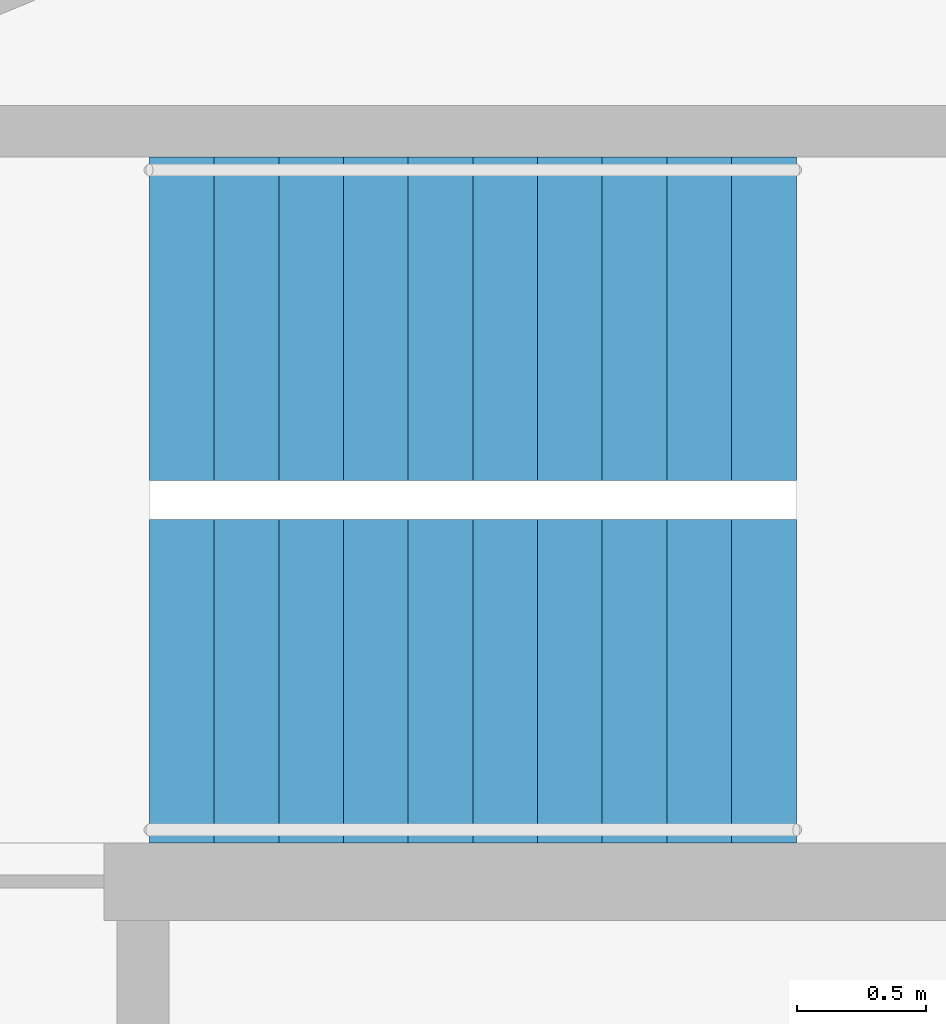
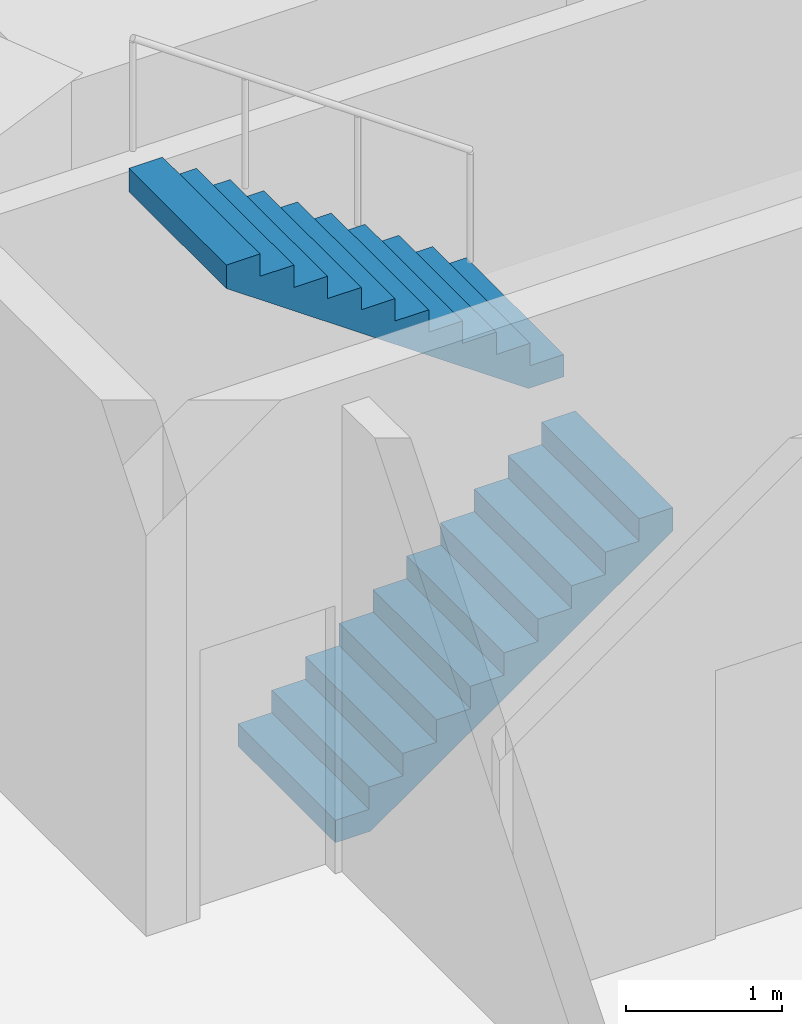
# One storey, part 11 of 13: 2 stair flights, 1 element without a shape of its own.
"""IFC4 building model written with IfcOpenShell, lengths in metres."""

from ifc_helpers import new_model, si_unit, direction, frame, origin, place, context, subcontext, project, spatial, polyline, outline, extrude, material, type_object, element, aggregate, save


model = new_model("IFC4")

# Units and contexts
model_context = context("Model", 3, precision=1e-05, world=origin(), true_north=direction((0.0, 1.0)))
body_context = subcontext(model_context, "Body", "Model", "MODEL_VIEW")
ifc_project = project(units=[si_unit("LENGTHUNIT", "METRE"), si_unit("AREAUNIT", "SQUARE_METRE"), si_unit("VOLUMEUNIT", "CUBIC_METRE"), si_unit("PLANEANGLEUNIT", "RADIAN"), si_unit("MASSUNIT", "GRAM", prefix="KILO")], contexts=[model_context])

# Site, building, storey
site_placement = place(None, origin())
site = spatial("IfcSite", under=ifc_project, at=site_placement, CompositionType="ELEMENT")
building_placement = place(site_placement, origin())
building = spatial("IfcBuilding", under=site, at=building_placement, Name="Nakasero Lantern House", CompositionType="ELEMENT")
storey_placement = place(building_placement, frame((0.0, 0.0, 164.89990234375)))
storey = spatial("IfcBuildingStorey", under=building, at=storey_placement, Name="L40", CompositionType="ELEMENT", Elevation=164.89990234375)

# Stair, stair flights
ifc_material_1 = material(Name="Concrete C40/50", Category="concrete")
stair_type = type_object("IfcStairType", Name="Escape stair ST1 22 risers", PredefinedType="HALF_TURN_STAIR", material=ifc_material_1)
stair_placement = place(storey_placement, origin())
stair = element("IfcStair", 1, at=stair_placement, inside=storey, type_object=stair_type, Name="Escape stair ST1 L40", PredefinedType="HALF_TURN_STAIR")
ifc_material_2 = material(Name="Concrete C40/50", Category="concrete")
stair_flight_type = type_object("IfcStairFlightType", Name="Escape stair flight", PredefinedType="STRAIGHT", material=ifc_material_2)
stair_flight_1_placement = place(storey_placement, frame((-1.875, 6.375, 0.0), z_axis=(0.0, 0.0, 1.0), x_axis=(1.0, 0.0, 0.0)))
stair_flight_1 = element("IfcStairFlight", 2, at=stair_flight_1_placement, type_object=stair_flight_type, Name="ST1 flight 1", NumberOfRisers=11, NumberOfTreads=10, PredefinedType="STRAIGHT", RiserHeight=0.175, TreadLength=0.25, context=body_context, shape_type="SweptSolid", body=[
    extrude(outline(polyline([(0.0, 0.0), (0.0, 0.175048828125), (0.25, 0.175048828125), (0.25, 0.35009765625), (0.5, 0.35009765625), (0.5, 0.52490234375), (0.75, 0.52490234375), (0.75, 0.699951171875), (1.0, 0.699951171875), (1.0, 0.875), (1.25, 0.875), (1.25, 1.050048828125), (1.5, 1.050048828125), (1.5, 1.22509765625), (1.75, 1.22509765625), (1.75, 1.39990234375), (2.0, 1.39990234375), (2.0, 1.574951171875), (2.25, 1.574951171875), (2.25, 1.75), (2.5, 1.75), (2.5, 1.925048828125), (2.5, 1.567138671875), (0.261474609375, 0.0), (0.0, 0.0)])), frame((0.0, 0.625, 0.0), z_axis=(0.0, -1.0, 0.0), x_axis=(1.0, 0.0, 0.0)), (0.0, 0.0, 1.0), 1.25),
])
stair_flight_2_placement = place(storey_placement, frame((0.625, 7.77490234375, 1.925048828125), z_axis=(0.0, 0.0, 1.0), x_axis=(-1.0, 0.0, 0.0)))
stair_flight_2 = element("IfcStairFlight", 3, at=stair_flight_2_placement, type_object=stair_flight_type, Name="ST1 flight 2", NumberOfRisers=11, NumberOfTreads=10, PredefinedType="STRAIGHT", RiserHeight=0.175, TreadLength=0.25, context=body_context, shape_type="SweptSolid", body=[
    extrude(outline(polyline([(0.0, 0.0), (0.0, 0.175048828125), (0.25, 0.175048828125), (0.25, 0.35009765625), (0.5, 0.35009765625), (0.5, 0.52490234375), (0.75, 0.52490234375), (0.75, 0.699951171875), (1.0, 0.699951171875), (1.0, 0.875), (1.25, 0.875), (1.25, 1.050048828125), (1.5, 1.050048828125), (1.5, 1.22509765625), (1.75, 1.22509765625), (1.75, 1.39990234375), (2.0, 1.39990234375), (2.0, 1.574951171875), (2.25, 1.574951171875), (2.25, 1.75), (2.5, 1.75), (2.5, 1.925048828125), (2.5, 1.567138671875), (0.261474609375, 0.0), (0.0, 0.0)])), frame((0.0, 0.625, 0.0), z_axis=(0.0, -1.0, 0.0), x_axis=(1.0, 0.0, 0.0)), (0.0, 0.0, 1.0), 1.25),
])
aggregate(stair, [stair_flight_1, stair_flight_2])

save(model, "model.ifc")
